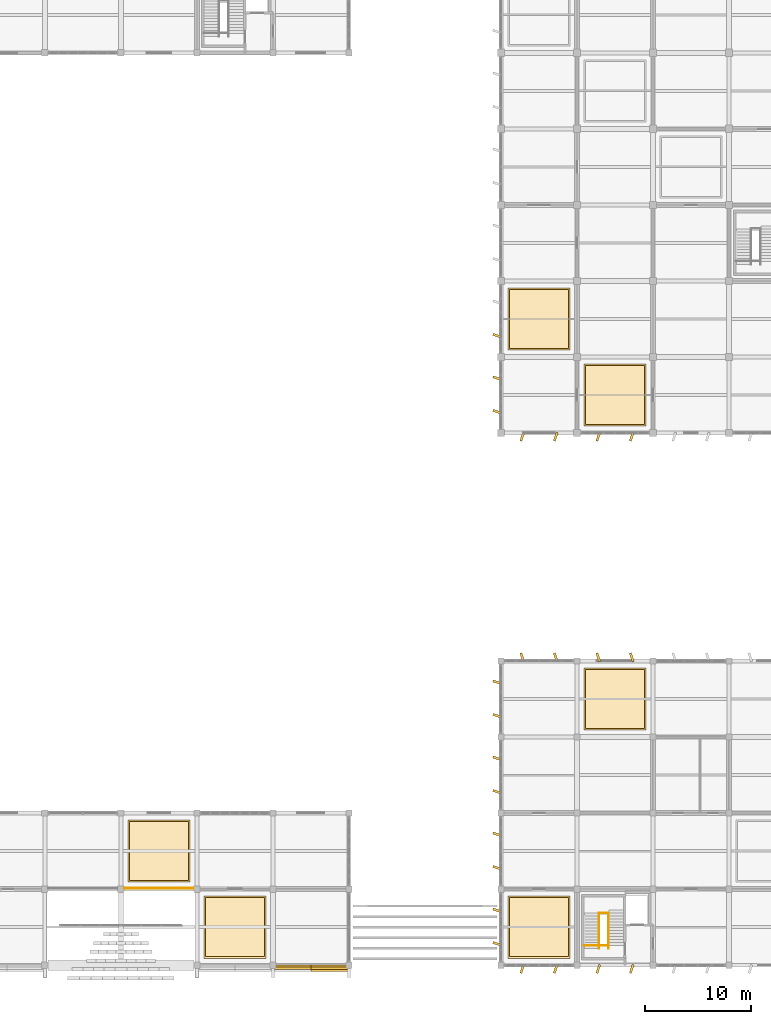
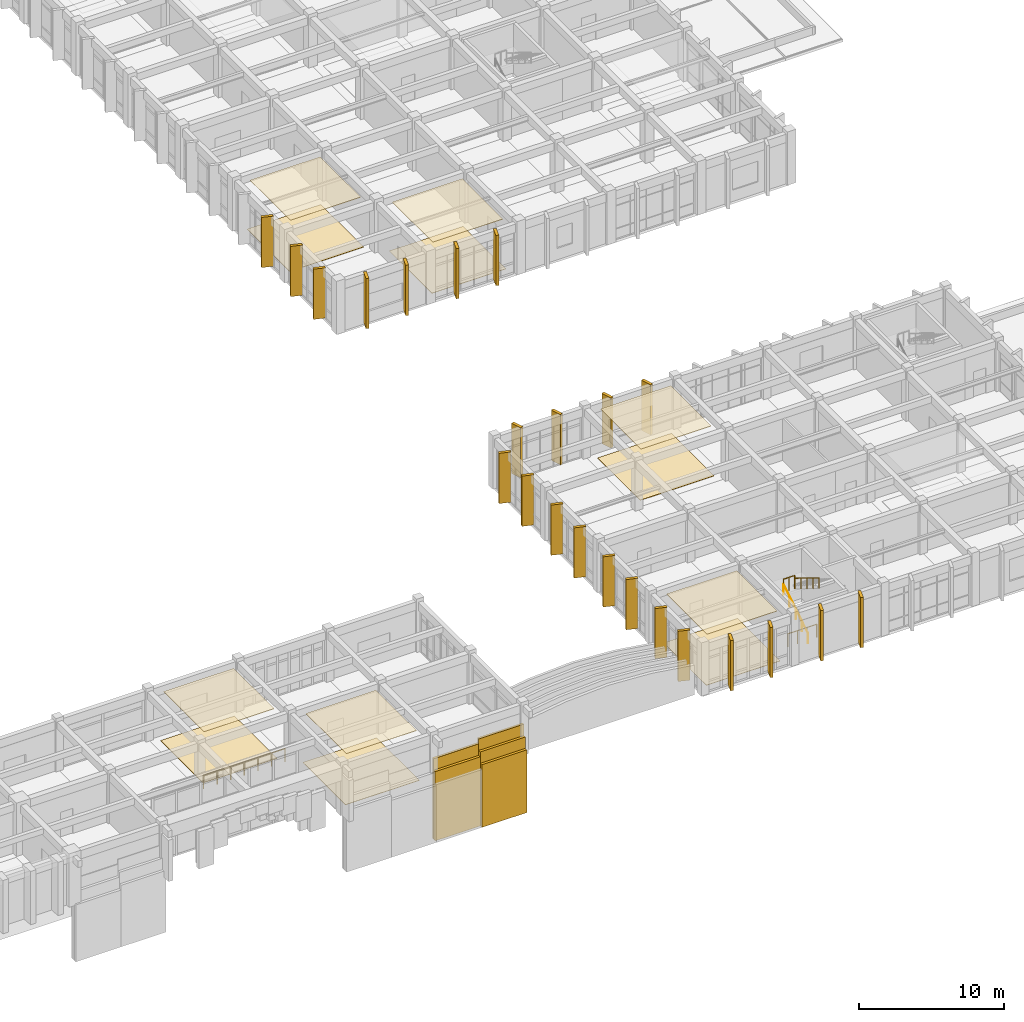
# One storey, part 75 of 81: 40 coverings, 5 railings.
"""IFC4 building model written with IfcOpenShell, lengths in metres."""

import ifcopenshell
import ifcopenshell.guid

model = None  # the IFC model being written
_history = None  # IfcOwnerHistory: only IFC2X3 demands one
_inside = {}  # id of a spatial element -> (the spatial element, [elements in it])
_under = {}  # id of a project, library or spatial element -> (it, [spatial elements below it])
_declared = {}  # id of a project -> (the project, [libraries it declares])
_typed = {}  # id of a type object -> (the type object, [elements of that type])
_made_of = {}  # id of a material, layer set ... -> (it, [elements and type objects made of it])


def new_model(schema):
    """Start an empty IFC model of exactly this schema.

    Asked for "IFC4X3", IfcOpenShell would pick the latest addendum, in which some entities
    have other attributes; the version numbers below select the first issue.
    IFC2X3 requires an IfcOwnerHistory on every rooted entity: one is made here for all.
    """
    global model, _history
    if schema == "IFC4X3":
        model = ifcopenshell.file(schema_version=(4, 3, 0, 0))
    else:
        model = ifcopenshell.file(schema=schema)
    _inside.clear()
    _under.clear()
    _declared.clear()
    _typed.clear()
    _made_of.clear()
    _history = None
    if model.schema == "IFC2X3":
        org = make("IfcOrganization", Name="unknown")
        user = make(
            "IfcPersonAndOrganization",
            ThePerson=make("IfcPerson", FamilyName="unknown"),
            TheOrganization=org,
        )
        app = make(
            "IfcApplication",
            ApplicationDeveloper=org,
            Version="unknown",
            ApplicationFullName="unknown",
            ApplicationIdentifier="unknown",
        )
        _history = make(
            "IfcOwnerHistory",
            OwningUser=user,
            OwningApplication=app,
            ChangeAction="ADDED",
            CreationDate=0,
        )
    return model


def make(cls, **values):
    """One entity of the class cls with the attributes given. An attribute that is None is left unset."""
    return model.create_entity(
        cls, **{name: value for name, value in values.items() if value is not None}
    )


def rooted(cls, **values):
    """An entity with a GlobalId (a new one), such as an element, a storey or a relation."""
    return make(cls, GlobalId=ifcopenshell.guid.new(), OwnerHistory=_history, **values)


def si_unit(unit_type, name, prefix=None):
    """IfcSIUnit, for example si_unit("LENGTHUNIT", "METRE", prefix="MILLI")."""
    return make("IfcSIUnit", UnitType=unit_type, Prefix=prefix, Name=name)


def assignment(units):
    """IfcUnitAssignment: the units of a project."""
    return None if units is None else make("IfcUnitAssignment", Units=units)


def point(xyz):
    """IfcCartesianPoint."""
    return None if xyz is None else make("IfcCartesianPoint", Coordinates=xyz)


def direction(xyz):
    """IfcDirection."""
    return None if xyz is None else make("IfcDirection", DirectionRatios=xyz)


def frame(location, z_axis=None, x_axis=None):
    """IfcAxis2Placement3D, a coordinate frame: its origin and axes. An axis left out is left unset."""
    return make(
        "IfcAxis2Placement3D",
        Location=point(location),
        Axis=direction(z_axis),
        RefDirection=direction(x_axis),
    )


def frame_2d(location, x_axis=None):
    """IfcAxis2Placement2D, a coordinate frame in the plane: its origin and x axis."""
    return make(
        "IfcAxis2Placement2D", Location=point(location), RefDirection=direction(x_axis)
    )


def origin():
    """The frame at (0, 0, 0) with its axes left unset."""
    return frame((0.0, 0.0, 0.0))


def origin_2d():
    """The frame at (0, 0) in the plane with its x axis left unset."""
    return frame_2d((0.0, 0.0))


def place(relative_to, where):
    """IfcLocalPlacement: puts the frame where relative to a parent placement (None: the world)."""
    return make(
        "IfcLocalPlacement", PlacementRelTo=relative_to, RelativePlacement=where
    )


def context(
    kind, dimensions, precision=None, world=None, true_north=None, identifier=None
):
    """IfcGeometricRepresentationContext, for example the 3D "Model" context."""
    return make(
        "IfcGeometricRepresentationContext",
        ContextIdentifier=identifier,
        ContextType=kind,
        CoordinateSpaceDimension=dimensions,
        Precision=precision,
        WorldCoordinateSystem=world,
        TrueNorth=true_north,
    )


def subcontext(parent, identifier, kind, view, scale=None):
    """IfcGeometricRepresentationSubContext, for example "Body" below "Model"."""
    return make(
        "IfcGeometricRepresentationSubContext",
        ContextIdentifier=identifier,
        ContextType=kind,
        ParentContext=parent,
        TargetScale=scale,
        TargetView=view,
    )


def project(units=None, contexts=None):
    """IfcProject with its units and contexts."""
    return rooted(
        "IfcProject",
        Name="project",
        RepresentationContexts=contexts,
        UnitsInContext=assignment(units),
    )


def spatial(cls, under=None, at=None, **own):
    """A site, building, storey or space (cls), placed at a placement, below another one or the project."""
    s = rooted(cls, ObjectPlacement=at, **own)
    if under is not None:
        _under.setdefault(under.id(), (under, []))[1].append(s)
    return s


def polyline(points):
    """IfcPolyline through the points."""
    return make("IfcPolyline", Points=[point(p) for p in points])


def profile(cls, at=None, kind="AREA", **sizes):
    """A parametric profile (cls). Its sizes go by their IFC names, for example OverallWidth=200.0."""
    return make(cls, ProfileType=kind, Position=at, **sizes)


def rectangle(**sizes):
    """IfcRectangleProfileDef."""
    return profile("IfcRectangleProfileDef", **sizes)


def circle(**sizes):
    """IfcCircleProfileDef."""
    return profile("IfcCircleProfileDef", **sizes)


def outline(outer, holes=None, kind="AREA"):
    """IfcArbitraryClosedProfileDef: a profile drawn as a closed curve; with holes, ...WithVoids."""
    if holes is None:
        return make("IfcArbitraryClosedProfileDef", ProfileType=kind, OuterCurve=outer)
    return make(
        "IfcArbitraryProfileDefWithVoids",
        ProfileType=kind,
        OuterCurve=outer,
        InnerCurves=holes,
    )


def extrude(swept, where, along, depth):
    """IfcExtrudedAreaSolid: the profile swept, set in the frame where, extruded along a direction by depth."""
    return make(
        "IfcExtrudedAreaSolid",
        SweptArea=swept,
        Position=where,
        ExtrudedDirection=direction(along),
        Depth=depth,
    )


def shape(context_of_items, identifier, shape_type, items):
    """IfcShapeRepresentation: the items that make up one representation, for example the "Body"."""
    return make(
        "IfcShapeRepresentation",
        ContextOfItems=context_of_items,
        RepresentationIdentifier=identifier,
        RepresentationType=shape_type,
        Items=items,
    )


def material(Name=None, Category=None):
    """IfcMaterial."""
    return make("IfcMaterial", Name=Name, Category=Category)


def layer(
    of_material, thickness, ventilated=None, Name=None, Category=None, Priority=None
):
    """IfcMaterialLayer: one layer of a wall or slab, of a material (None: an air gap)."""
    return make(
        "IfcMaterialLayer",
        Material=of_material,
        LayerThickness=thickness,
        IsVentilated=ventilated,
        Name=Name,
        Category=Category,
        Priority=Priority,
    )


def layer_set(layers, Name=None):
    """IfcMaterialLayerSet."""
    return make("IfcMaterialLayerSet", MaterialLayers=layers, LayerSetName=Name)


def made_of(thing, what):
    """Note that an element or type object is made of a material, layer set ...; save() writes the relation."""
    if what is not None:
        _made_of.setdefault(what.id(), (what, []))[1].append(thing)
    return thing


def type_object(cls, material=None, **own):
    """A type object (cls), such as IfcWallType, which elements share."""
    return made_of(rooted(cls, **own), material)


def element(
    cls,
    number,
    at=None,
    inside=None,
    cuts=None,
    type_object=None,
    material=None,
    context=None,
    identifier="Body",
    shape_type=None,
    held_by="IfcProductDefinitionShape",
    body=None,
    shapes=None,
    **own,
):
    """One element of the class cls, such as IfcWall. Its Tag is "e" and its number.

    at: its placement. inside: the storey or other place that contains it. cuts: it is an
    opening in that element (IfcRelVoidsElement). A single representation is given by context,
    identifier, shape_type and body (its items); several are given by shapes. held_by: the class
    of the entity that holds the representations. save() writes the other relations.
    """
    e = rooted(cls, Tag="e%d" % number, ObjectPlacement=at, **own)
    if body is not None:
        shapes = [shape(context, identifier, shape_type, body)]
    if shapes is not None:
        e.Representation = make(held_by, Representations=shapes)
    if inside is not None:
        _inside.setdefault(inside.id(), (inside, []))[1].append(e)
    if cuts is not None:
        rooted(
            "IfcRelVoidsElement", RelatingBuildingElement=cuts, RelatedOpeningElement=e
        )
    if type_object is not None:
        _typed.setdefault(type_object.id(), (type_object, []))[1].append(e)
    return made_of(e, material)


def aggregate(whole, parts):
    """IfcRelAggregates: a whole, such as a stair, and the parts it consists of."""
    return rooted("IfcRelAggregates", RelatingObject=whole, RelatedObjects=parts)


def save(model, path):
    """Write the relations noted so far, then the file.

    IfcRelAggregates (storeys below a building ...), IfcRelContainedInSpatialStructure (elements
    in a storey), IfcRelDefinesByType, IfcRelAssociatesMaterial and IfcRelDeclares: one each for
    every whole, place, type object, material and project.
    """
    for whole, parts in _under.values():
        aggregate(whole, parts)
    for where, things in _inside.values():
        rooted(
            "IfcRelContainedInSpatialStructure",
            RelatedElements=things,
            RelatingStructure=where,
        )
    for kind, things in _typed.values():
        rooted("IfcRelDefinesByType", RelatedObjects=things, RelatingType=kind)
    for what, things in _made_of.values():
        rooted("IfcRelAssociatesMaterial", RelatedObjects=things, RelatingMaterial=what)
    for by, libraries in _declared.values():
        rooted("IfcRelDeclares", RelatingContext=by, RelatedDefinitions=libraries)
    model.write(path)


model = new_model("IFC4")

# Units and contexts
model_context = context("Model", 3, precision=1e-05, world=origin(), true_north=direction((0.0, 1.0)))
body_context = subcontext(model_context, "Body", "Model", "MODEL_VIEW")
ifc_project = project(units=[si_unit("LENGTHUNIT", "METRE"), si_unit("AREAUNIT", "SQUARE_METRE"), si_unit("VOLUMEUNIT", "CUBIC_METRE"), si_unit("PLANEANGLEUNIT", "RADIAN"), si_unit("MASSUNIT", "GRAM", prefix="KILO")], contexts=[model_context])

# Site, building, storey
site_placement = place(None, origin())
site = spatial("IfcSite", under=ifc_project, at=site_placement, CompositionType="ELEMENT")
building_placement = place(site_placement, origin())
building = spatial("IfcBuilding", under=site, at=building_placement, Name="Kavelor Marine Aquarium", CompositionType="ELEMENT")
storey_placement = place(building_placement, frame((0.0, 0.0, 4.679931640625)))
storey = spatial("IfcBuildingStorey", under=building, at=storey_placement, Name="L01", CompositionType="ELEMENT", Elevation=4.679931640625)

# Coverings
ifc_material_1 = material(Name="Concrete C45/55", Category="concrete")
ifc_layer_1 = layer(ifc_material_1, 0.360107421875)
ifc_layer_set_1 = layer_set([ifc_layer_1], Name="COV-BND4")
covering_type_1 = type_object("IfcCoveringType", Name="COV-BND4", PredefinedType="CLADDING", material=ifc_layer_set_1)
covering_1_placement = place(storey_placement, frame((0.0, 0.0, -4.679931640625)))
element("IfcCovering", 1, at=covering_1_placement, inside=storey, type_object=covering_type_1, Name="band:south:4:r:03", PredefinedType="CLADDING", context=body_context, shape_type="SweptSolid", body=[
    extrude(outline(polyline([(100.39990234375, 2.18994140625), (104.0, 2.18994140625), (104.0, 2.409912109375), (100.39990234375, 2.409912109375), (100.39990234375, 2.18994140625)])), origin(), (0.0, 0.0, 1.0), 5.291015625),
])
ifc_material_2 = material(Name="Concrete C45/55", Category="concrete")
ifc_layer_2 = layer(ifc_material_2, 0.3798828125)
ifc_layer_set_2 = layer_set([ifc_layer_2], Name="COV-BND5")
covering_type_2 = type_object("IfcCoveringType", Name="COV-BND5", PredefinedType="CLADDING", material=ifc_layer_set_2)
covering_2_placement = place(storey_placement, frame((0.0, 0.0, -4.679931640625)))
element("IfcCovering", 2, at=covering_2_placement, inside=storey, type_object=covering_type_2, Name="band:south:5:r:02", PredefinedType="CLADDING", context=body_context, shape_type="SweptSolid", body=[
    extrude(outline(polyline([(96.800048828125, 2.39990234375), (100.39990234375, 2.39990234375), (100.39990234375, 2.6201171875), (96.800048828125, 2.6201171875), (96.800048828125, 2.39990234375)])), origin(), (0.0, 0.0, 1.0), 5.84033203125),
])
covering_3_placement = place(storey_placement, frame((0.0, 0.0, -4.679931640625)))
element("IfcCovering", 3, at=covering_3_placement, inside=storey, type_object=covering_type_2, Name="band:south:5:r:03", PredefinedType="CLADDING", context=body_context, shape_type="SweptSolid", body=[
    extrude(outline(polyline([(100.39990234375, 2.39990234375), (104.0, 2.39990234375), (104.0, 2.6201171875), (100.39990234375, 2.6201171875), (100.39990234375, 2.39990234375)])), origin(), (0.0, 0.0, 1.0), 6.251220703125),
])
ifc_material_3 = material(Name="Concrete C45/55", Category="concrete")
ifc_layer_3 = layer(ifc_material_3, 0.39990234375)
ifc_layer_set_3 = layer_set([ifc_layer_3], Name="COV-BND6")
covering_type_3 = type_object("IfcCoveringType", Name="COV-BND6", PredefinedType="CLADDING", material=ifc_layer_set_3)
covering_4_placement = place(storey_placement, frame((0.0, 0.0, -4.679931640625)))
element("IfcCovering", 4, at=covering_4_placement, inside=storey, type_object=covering_type_3, Name="band:south:6:r:02", PredefinedType="CLADDING", context=body_context, shape_type="SweptSolid", body=[
    extrude(outline(polyline([(96.800048828125, 2.610107421875), (100.39990234375, 2.610107421875), (100.39990234375, 2.800048828125), (96.800048828125, 2.800048828125), (96.800048828125, 2.610107421875)])), origin(), (0.0, 0.0, 1.0), 6.80029296875),
])
covering_5_placement = place(storey_placement, frame((0.0, 0.0, -4.679931640625)))
element("IfcCovering", 5, at=covering_5_placement, inside=storey, type_object=covering_type_3, Name="band:south:6:r:03", PredefinedType="CLADDING", context=body_context, shape_type="SweptSolid", body=[
    extrude(outline(polyline([(100.39990234375, 2.610107421875), (104.0, 2.610107421875), (104.0, 2.800048828125), (100.39990234375, 2.800048828125), (100.39990234375, 2.610107421875)])), origin(), (0.0, 0.0, 1.0), 7.211181640625),
])
ifc_material_4 = material(Name="Moisture-Resistant Acoustic Mineral-Fibre Ceiling")
ifc_layer_4 = layer(ifc_material_4, 0.0400390625)
ifc_layer_set_4 = layer_set([ifc_layer_4], Name="COV-CE1")
covering_type_4 = type_object("IfcCoveringType", Name="COV-CE1", PredefinedType="CEILING", material=ifc_layer_set_4)
covering_6_placement = place(storey_placement, frame((0.0, 0.0, 4.16015625)))
element("IfcCovering", 6, at=covering_6_placement, inside=storey, type_object=covering_type_4, Name="ceil:L01:11_01", PredefinedType="CEILING", context=body_context, shape_type="SweptSolid", body=[
    extrude(outline(polyline([(83.199951171875, 10.800048828125), (88.800048828125, 10.800048828125), (88.800048828125, 16.39990234375), (83.199951171875, 16.39990234375), (83.199951171875, 10.800048828125)])), origin(), (0.0, 0.0, 1.0), 0.039794921875),
])
covering_7_placement = place(storey_placement, frame((0.0, 0.0, 4.16015625)))
element("IfcCovering", 7, at=covering_7_placement, inside=storey, type_object=covering_type_4, Name="ceil:L01:12_00", PredefinedType="CEILING", context=body_context, shape_type="SweptSolid", body=[
    extrude(outline(polyline([(90.39990234375, 3.60009765625), (96.0, 3.60009765625), (96.0, 9.199951171875), (90.39990234375, 9.199951171875), (90.39990234375, 3.60009765625)])), origin(), (0.0, 0.0, 1.0), 0.039794921875),
])
covering_8_placement = place(storey_placement, frame((0.0, 0.0, 4.16015625)))
element("IfcCovering", 8, at=covering_8_placement, inside=storey, type_object=covering_type_4, Name="ceil:L01:16_00", PredefinedType="CEILING", context=body_context, shape_type="SweptSolid", body=[
    extrude(outline(polyline([(119.199951171875, 3.60009765625), (124.800048828125, 3.60009765625), (124.800048828125, 9.199951171875), (119.199951171875, 9.199951171875), (119.199951171875, 3.60009765625)])), origin(), (0.0, 0.0, 1.0), 0.039794921875),
])
covering_9_placement = place(storey_placement, frame((0.0, 0.0, 4.16015625)))
element("IfcCovering", 9, at=covering_9_placement, inside=storey, type_object=covering_type_4, Name="ceil:L01:16_08", PredefinedType="CEILING", context=body_context, shape_type="SweptSolid", body=[
    extrude(outline(polyline([(119.199951171875, 61.199951171875), (124.800048828125, 61.199951171875), (124.800048828125, 66.800048828125), (119.199951171875, 66.800048828125), (119.199951171875, 61.199951171875)])), origin(), (0.0, 0.0, 1.0), 0.039794921875),
])
covering_10_placement = place(storey_placement, frame((0.0, 0.0, 4.16015625)))
element("IfcCovering", 10, at=covering_10_placement, inside=storey, type_object=covering_type_4, Name="ceil:L01:17_03", PredefinedType="CEILING", context=body_context, shape_type="SweptSolid", body=[
    extrude(outline(polyline([(126.39990234375, 25.199951171875), (132.0, 25.199951171875), (132.0, 30.800048828125), (126.39990234375, 30.800048828125), (126.39990234375, 25.199951171875)])), origin(), (0.0, 0.0, 1.0), 0.039794921875),
])
covering_11_placement = place(storey_placement, frame((0.0, 0.0, 4.16015625)))
element("IfcCovering", 11, at=covering_11_placement, inside=storey, type_object=covering_type_4, Name="ceil:L01:17_07", PredefinedType="CEILING", context=body_context, shape_type="SweptSolid", body=[
    extrude(outline(polyline([(126.39990234375, 54.0), (132.0, 54.0), (132.0, 59.60009765625), (126.39990234375, 59.60009765625), (126.39990234375, 54.0)])), origin(), (0.0, 0.0, 1.0), 0.039794921875),
])
ifc_material_5 = material(Name="Precast Concrete C45/55 Coastal Brise-Soleil Fin", Category="concrete")
ifc_layer_5 = layer(ifc_material_5, 0.219970703125)
ifc_layer_set_5 = layer_set([ifc_layer_5], Name="COV-CL1")
covering_type_5 = type_object("IfcCoveringType", Name="COV-CL1", PredefinedType="CLADDING", material=ifc_layer_set_5)
for number, where, z_axis, x_axis, name in (
    (12, (118.0400390625, 4.81591796875, 0.0), (0.0, 0.0, 1.0), (0.951056516295, -0.309016994375, 0.0), "fin:y:L01:16_00:0"),
    (13, (118.0400390625, 7.98388671875, 0.0), (0.0, 0.0, 1.0), (0.951056516295, -0.309016994375, 0.0), "fin:y:L01:16_00:1"),
    (14, (118.0400390625, 12.01611328125, 0.0), (0.0, 0.0, 1.0), (0.951056516295, -0.309016994375, 0.0), "fin:y:L01:16_01:0"),
    (15, (118.0400390625, 15.18408203125, 0.0), (0.0, 0.0, 1.0), (0.951056516295, -0.309016994375, 0.0), "fin:y:L01:16_01:1"),
    (16, (118.0400390625, 19.216064453125, 0.0), (0.0, 0.0, 1.0), (0.951056516295, -0.309016994375, 0.0), "fin:y:L01:16_02:0"),
    (17, (118.0400390625, 22.384033203125, 0.0), (0.0, 0.0, 1.0), (0.951056516295, -0.309016994375, 0.0), "fin:y:L01:16_02:1"),
    (18, (118.0400390625, 26.416015625, 0.0), (0.0, 0.0, 1.0), (0.951056516295, -0.309016994375, 0.0), "fin:y:L01:16_03:0"),
    (19, (118.0400390625, 29.583984375, 0.0), (0.0, 0.0, 1.0), (0.951056516295, -0.309016994375, 0.0), "fin:y:L01:16_03:1"),
    (20, (118.0400390625, 55.216064453125, 0.0), (0.0, 0.0, 1.0), (0.951056516295, -0.309016994375, 0.0), "fin:y:L01:16_07:0"),
    (21, (118.0400390625, 58.384033203125, 0.0), (0.0, 0.0, 1.0), (0.951056516295, -0.309016994375, 0.0), "fin:y:L01:16_07:1"),
    (22, (118.0400390625, 62.416015625, 0.0), (0.0, 0.0, 1.0), (0.951056516295, -0.309016994375, 0.0), "fin:y:L01:16_08:0"),
):
    element("IfcCovering", number, at=place(storey_placement, frame(where, z_axis=z_axis, x_axis=x_axis)), inside=storey, type_object=covering_type_5, Name=name, PredefinedType="CLADDING", context=body_context, shape_type="SweptSolid", body=[
        extrude(rectangle(XDim=0.85009765625, YDim=0.219970703125, at=origin_2d()), origin(), (0.0, 0.0, 1.0), 4.239990234375),
    ])
for number, where, z_axis, x_axis, name in (
    (23, (120.416015625, 2.43994140625, 0.0), (0.0, 0.0, 1.0), (0.951056516295, -0.309016994375, 0.0), "fin:x:L01:16_00:0"),
    (24, (123.583984375, 2.43994140625, 0.0), (0.0, 0.0, 1.0), (0.951056516295, -0.309016994375, 0.0), "fin:x:L01:16_00:1"),
    (25, (120.416015625, 31.9599609375, 0.0), (0.0, 0.0, 1.0), (0.951056516295, 0.309016994375, 0.0), "fin:x:L01:16_04:0"),
    (26, (123.583984375, 31.9599609375, 0.0), (0.0, 0.0, 1.0), (0.951056516295, 0.309016994375, 0.0), "fin:x:L01:16_04:1"),
    (27, (120.416015625, 52.840087890625, 0.0), (0.0, 0.0, 1.0), (0.951056516295, -0.309016994375, 0.0), "fin:x:L01:16_07:0"),
    (28, (123.583984375, 52.840087890625, 0.0), (0.0, 0.0, 1.0), (0.951056516295, -0.309016994375, 0.0), "fin:x:L01:16_07:1"),
    (29, (127.615966796875, 2.43994140625, 0.0), (0.0, 0.0, 1.0), (0.951056516295, -0.309016994375, 0.0), "fin:x:L01:17_00:0"),
    (30, (130.783935546875, 2.43994140625, 0.0), (0.0, 0.0, 1.0), (0.951056516295, -0.309016994375, 0.0), "fin:x:L01:17_00:1"),
    (31, (127.615966796875, 31.9599609375, 0.0), (0.0, 0.0, 1.0), (0.951056516295, 0.309016994375, 0.0), "fin:x:L01:17_04:0"),
    (32, (130.783935546875, 31.9599609375, 0.0), (0.0, 0.0, 1.0), (0.951056516295, 0.309016994375, 0.0), "fin:x:L01:17_04:1"),
    (33, (127.615966796875, 52.840087890625, 0.0), (0.0, 0.0, 1.0), (0.951056516295, -0.309016994375, 0.0), "fin:x:L01:17_07:0"),
    (34, (130.783935546875, 52.840087890625, 0.0), (0.0, 0.0, 1.0), (0.951056516295, -0.309016994375, 0.0), "fin:x:L01:17_07:1"),
):
    element("IfcCovering", number, at=place(storey_placement, frame(where, z_axis=z_axis, x_axis=x_axis)), inside=storey, type_object=covering_type_5, Name=name, PredefinedType="CLADDING", context=body_context, shape_type="SweptSolid", body=[
        extrude(rectangle(XDim=0.219970703125, YDim=0.85009765625, at=origin_2d()), origin(), (0.0, 0.0, 1.0), 4.239990234375),
    ])
ifc_material_6 = material(Name="Polished Coastal Terrazzo Flooring")
ifc_layer_6 = layer(ifc_material_6, 0.030029296875)
ifc_layer_set_6 = layer_set([ifc_layer_6], Name="COV-FL1")
covering_type_6 = type_object("IfcCoveringType", Name="COV-FL1", PredefinedType="FLOORING", material=ifc_layer_set_6)
covering_12_placement = place(storey_placement, origin())
element("IfcCovering", 35, at=covering_12_placement, inside=storey, type_object=covering_type_6, Name="flr:L01:11_01", PredefinedType="FLOORING", context=body_context, shape_type="SweptSolid", body=[
    extrude(outline(polyline([(83.050048828125, 10.64990234375), (88.949951171875, 10.64990234375), (88.949951171875, 16.550048828125), (83.050048828125, 16.550048828125), (83.050048828125, 10.64990234375)])), origin(), (0.0, 0.0, 1.0), 0.030029296875),
])
covering_13_placement = place(storey_placement, origin())
element("IfcCovering", 36, at=covering_13_placement, inside=storey, type_object=covering_type_6, Name="flr:L01:12_00", PredefinedType="FLOORING", context=body_context, shape_type="SweptSolid", body=[
    extrude(outline(polyline([(90.25, 3.449951171875), (96.14990234375, 3.449951171875), (96.14990234375, 9.35009765625), (90.25, 9.35009765625), (90.25, 3.449951171875)])), origin(), (0.0, 0.0, 1.0), 0.030029296875),
])
covering_14_placement = place(storey_placement, origin())
element("IfcCovering", 37, at=covering_14_placement, inside=storey, type_object=covering_type_6, Name="flr:L01:16_00", PredefinedType="FLOORING", context=body_context, shape_type="SweptSolid", body=[
    extrude(outline(polyline([(119.050048828125, 3.449951171875), (124.949951171875, 3.449951171875), (124.949951171875, 9.35009765625), (119.050048828125, 9.35009765625), (119.050048828125, 3.449951171875)])), origin(), (0.0, 0.0, 1.0), 0.030029296875),
])
covering_15_placement = place(storey_placement, origin())
element("IfcCovering", 38, at=covering_15_placement, inside=storey, type_object=covering_type_6, Name="flr:L01:16_08", PredefinedType="FLOORING", context=body_context, shape_type="SweptSolid", body=[
    extrude(outline(polyline([(119.050048828125, 61.050048828125), (124.949951171875, 61.050048828125), (124.949951171875, 66.949951171875), (119.050048828125, 66.949951171875), (119.050048828125, 61.050048828125)])), origin(), (0.0, 0.0, 1.0), 0.030029296875),
])
covering_16_placement = place(storey_placement, origin())
element("IfcCovering", 39, at=covering_16_placement, inside=storey, type_object=covering_type_6, Name="flr:L01:17_03", PredefinedType="FLOORING", context=body_context, shape_type="SweptSolid", body=[
    extrude(outline(polyline([(126.25, 25.050048828125), (132.14990234375, 25.050048828125), (132.14990234375, 30.949951171875), (126.25, 30.949951171875), (126.25, 25.050048828125)])), origin(), (0.0, 0.0, 1.0), 0.030029296875),
])
covering_17_placement = place(storey_placement, origin())
element("IfcCovering", 40, at=covering_17_placement, inside=storey, type_object=covering_type_6, Name="flr:L01:17_07", PredefinedType="FLOORING", context=body_context, shape_type="SweptSolid", body=[
    extrude(outline(polyline([(126.25, 53.85009765625), (132.14990234375, 53.85009765625), (132.14990234375, 59.75), (126.25, 59.75), (126.25, 53.85009765625)])), origin(), (0.0, 0.0, 1.0), 0.030029296875),
])

# Railings
ifc_material_7 = material(Name="Laminated Glass and Stainless Steel Gallery Balustrade", Category="steel")
railing_type_1 = type_object("IfcRailingType", Name="RL-BL1", PredefinedType="BALUSTRADE", material=ifc_material_7)
railing_1_placement = place(storey_placement, frame((82.75, 10.080078125, 0.0)))
element("IfcRailing", 41, at=railing_1_placement, inside=storey, type_object=railing_type_1, Name="Gallery Void Balustrade BL1 (L01)", PredefinedType="BALUSTRADE", context=body_context, shape_type="SweptSolid", body=[
    extrude(circle(Radius=0.02392578125, at=origin_2d()), frame((0.0, 0.0, 1.09619140625), z_axis=(1.0, 0.0, 0.0), x_axis=(0.0, 1.0, 0.0)), (0.0, 0.0, 1.0), 6.5),
    extrude(circle(Radius=0.0224609375, at=origin_2d()), origin(), (0.0, 0.0, 1.0), 1.072021484375),
    extrude(circle(Radius=0.0224609375, at=origin_2d()), frame((1.083251953125, 0.0, 0.0)), (0.0, 0.0, 1.0), 1.072021484375),
    extrude(circle(Radius=0.0224609375, at=origin_2d()), frame((2.166748046875, 0.0, 0.0)), (0.0, 0.0, 1.0), 1.072021484375),
    extrude(circle(Radius=0.0224609375, at=origin_2d()), frame((3.25, 0.0, 0.0)), (0.0, 0.0, 1.0), 1.072021484375),
    extrude(circle(Radius=0.0224609375, at=origin_2d()), frame((4.333251953125, 0.0, 0.0)), (0.0, 0.0, 1.0), 1.072021484375),
    extrude(circle(Radius=0.0224609375, at=origin_2d()), frame((5.416748046875, 0.0, 0.0)), (0.0, 0.0, 1.0), 1.072021484375),
    extrude(circle(Radius=0.0224609375, at=origin_2d()), frame((6.5, 0.0, 0.0)), (0.0, 0.0, 1.0), 1.072021484375),
])
ifc_material_8 = material(Name="Brushed Stainless Steel Wall and Flight Handrail", Category="steel")
railing_type_2 = type_object("IfcRailingType", Name="RL-HR1", PredefinedType="HANDRAIL", material=ifc_material_8)
railing_2_placement = place(storey_placement, frame((127.68994140625, 4.360107421875, 0.0)))
element("IfcRailing", 42, at=railing_2_placement, inside=storey, type_object=railing_type_2, Name="Stair Handrail ST08-1", PredefinedType="HANDRAIL", context=body_context, shape_type="SweptSolid", body=[
    extrude(circle(Radius=0.02001953125, at=origin_2d()), frame((0.0, 0.0, 0.8798828125), z_axis=(0.0, 0.850606129759, 0.525803396734), x_axis=(-1.0, 0.0, 0.0)), (0.0, 0.0, 1.0), 3.949951171875),
    extrude(circle(Radius=0.01806640625, at=origin_2d()), origin(), (0.0, 0.0, 1.0), 0.85986328125),
    extrude(circle(Radius=0.01806640625, at=origin_2d()), frame((0.0, 0.83984375, 0.519287109375)), (0.0, 0.0, 1.0), 0.85986328125),
    extrude(circle(Radius=0.01806640625, at=origin_2d()), frame((0.0, 1.679931640625, 1.03857421875)), (0.0, 0.0, 1.0), 0.85986328125),
    extrude(circle(Radius=0.01806640625, at=origin_2d()), frame((0.0, 2.52001953125, 1.5576171875)), (0.0, 0.0, 1.0), 0.85986328125),
    extrude(circle(Radius=0.01806640625, at=origin_2d()), frame((0.0, 3.35986328125, 2.076904296875)), (0.0, 0.0, 1.0), 0.85986328125),
])
railing_3_placement = place(storey_placement, frame((128.590087890625, 7.719970703125, 2.25)))
element("IfcRailing", 43, at=railing_3_placement, inside=storey, type_object=railing_type_2, Name="Stair Handrail ST08-2", PredefinedType="HANDRAIL", context=body_context, shape_type="SweptSolid", body=[
    extrude(circle(Radius=0.02001953125, at=origin_2d()), frame((0.0, 0.0, 0.8798828125), z_axis=(0.0, -0.850606129759, 0.525803396734), x_axis=(1.0, 0.0, 0.0)), (0.0, 0.0, 1.0), 3.949951171875),
    extrude(circle(Radius=0.01806640625, at=origin_2d()), origin(), (0.0, 0.0, 1.0), 0.85986328125),
    extrude(circle(Radius=0.01806640625, at=origin_2d()), frame((0.0, -0.83984375, 0.519287109375)), (0.0, 0.0, 1.0), 0.85986328125),
    extrude(circle(Radius=0.01806640625, at=origin_2d()), frame((0.0, -1.679931640625, 1.03857421875)), (0.0, 0.0, 1.0), 0.85986328125),
    extrude(circle(Radius=0.01806640625, at=origin_2d()), frame((0.0, -2.52001953125, 1.5576171875)), (0.0, 0.0, 1.0), 0.85986328125),
    extrude(circle(Radius=0.01806640625, at=origin_2d()), frame((0.0, -3.35986328125, 2.076904296875)), (0.0, 0.0, 1.0), 0.85986328125),
])
ifc_material_9 = material(Name="Brushed Stainless Steel Stair Guardrail", Category="steel")
railing_type_3 = type_object("IfcRailingType", Name="RL-SG1", PredefinedType="GUARDRAIL", material=ifc_material_9)
railing_4_placement = place(storey_placement, frame((127.68994140625, 7.75, 2.25)))
element("IfcRailing", 44, at=railing_4_placement, inside=storey, type_object=railing_type_3, Name="Landing Guardrail ST08-M", PredefinedType="GUARDRAIL", context=body_context, shape_type="SweptSolid", body=[
    extrude(circle(Radius=0.0224609375, at=origin_2d()), frame((0.0, 0.0, 1.09765625), z_axis=(1.0, 0.0, 0.0), x_axis=(0.0, 1.0, 0.0)), (0.0, 0.0, 1.0), 0.900146484375),
    extrude(circle(Radius=0.02099609375, at=origin_2d()), origin(), (0.0, 0.0, 1.0), 1.0751953125),
    extrude(circle(Radius=0.02099609375, at=origin_2d()), frame((0.4501953125, 0.0, 0.0)), (0.0, 0.0, 1.0), 1.0751953125),
    extrude(circle(Radius=0.02099609375, at=origin_2d()), frame((0.900146484375, 0.0, 0.0)), (0.0, 0.0, 1.0), 1.0751953125),
])
railing_5_placement = place(storey_placement, frame((126.280029296875, 4.679931640625, 0.0)))
element("IfcRailing", 45, at=railing_5_placement, inside=storey, type_object=railing_type_3, Name="Stairwell Guardrail ST08-W", PredefinedType="GUARDRAIL", context=body_context, shape_type="SweptSolid", body=[
    extrude(circle(Radius=0.0224609375, at=origin_2d()), frame((0.0, 0.0, 1.09765625), z_axis=(1.0, 0.0, 0.0), x_axis=(0.0, 1.0, 0.0)), (0.0, 0.0, 1.0), 2.300048828125),
    extrude(circle(Radius=0.02099609375, at=origin_2d()), origin(), (0.0, 0.0, 1.0), 1.0751953125),
    extrude(circle(Radius=0.02099609375, at=origin_2d()), frame((0.7666015625, 0.0, 0.0)), (0.0, 0.0, 1.0), 1.0751953125),
    extrude(circle(Radius=0.02099609375, at=origin_2d()), frame((1.533447265625, 0.0, 0.0)), (0.0, 0.0, 1.0), 1.0751953125),
    extrude(circle(Radius=0.02099609375, at=origin_2d()), frame((2.300048828125, 0.0, 0.0)), (0.0, 0.0, 1.0), 1.0751953125),
])

save(model, "model.ifc")
